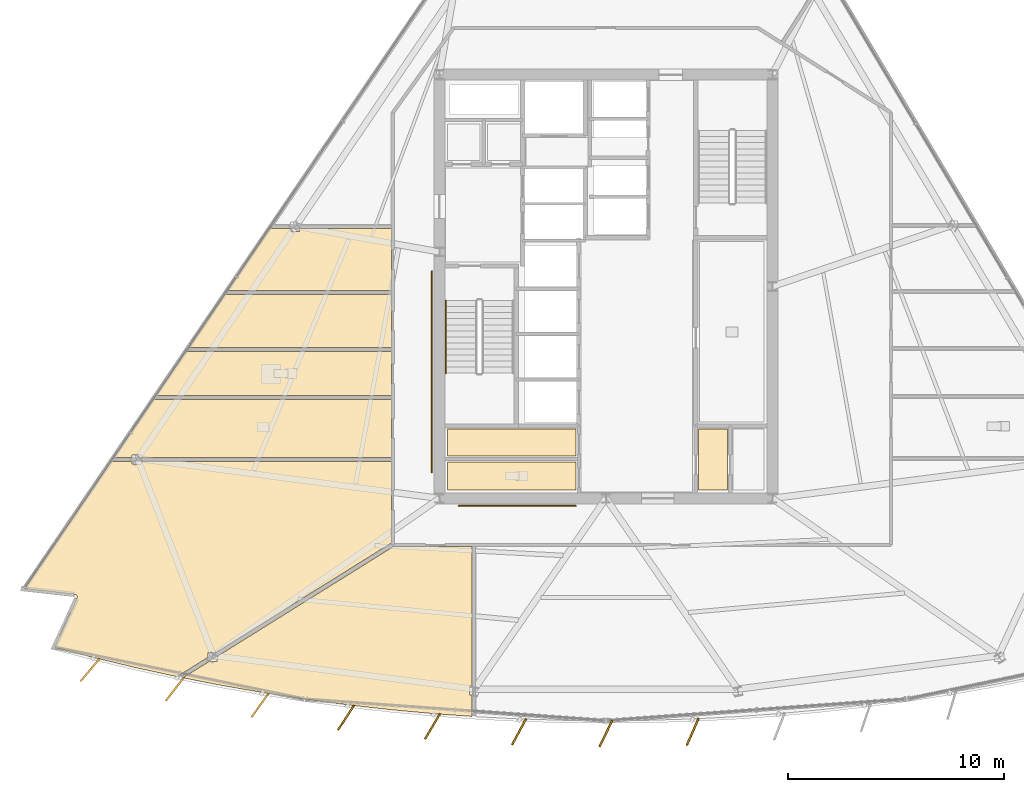
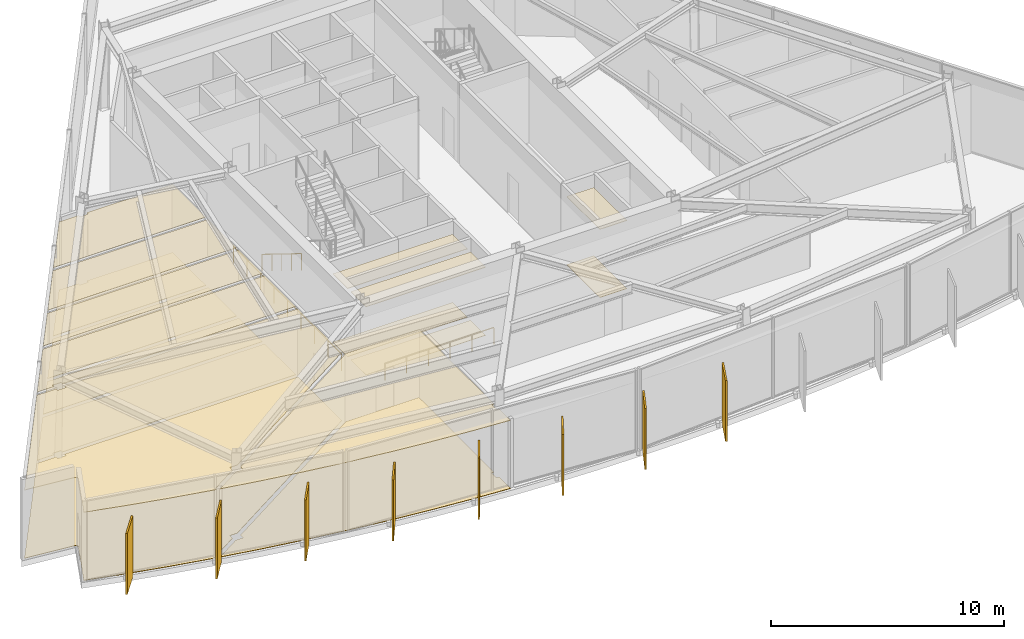
# One storey, part 10 of 14: 18 coverings, 8 shading devices, 3 railings.
"""IFC4 building model written with IfcOpenShell, lengths in metres."""

from ifc_helpers import new_model, si_unit, direction, frame, origin, origin_2d, place, context, subcontext, project, spatial, polyline, rectangle, circle, outline, extrude, material, layer, layer_set, type_object, element, save


model = new_model("IFC4")

# Units and contexts
model_context = context("Model", 3, precision=1e-05, world=origin(), true_north=direction((0.0, 1.0)))
body_context = subcontext(model_context, "Body", "Model", "MODEL_VIEW")
ifc_project = project(units=[si_unit("LENGTHUNIT", "METRE"), si_unit("AREAUNIT", "SQUARE_METRE"), si_unit("VOLUMEUNIT", "CUBIC_METRE"), si_unit("PLANEANGLEUNIT", "RADIAN"), si_unit("MASSUNIT", "GRAM", prefix="KILO")], contexts=[model_context])

# Site, building, storey
site_placement = place(None, origin())
site = spatial("IfcSite", under=ifc_project, at=site_placement, CompositionType="ELEMENT")
building_placement = place(site_placement, origin())
building = spatial("IfcBuilding", under=site, at=building_placement, Name="Savorim Split Tower", CompositionType="ELEMENT")
storey_placement = place(building_placement, frame((0.0, 0.0, 134.10009765625)))
storey = spatial("IfcBuildingStorey", under=building, at=storey_placement, Name="L35", CompositionType="ELEMENT", Elevation=134.10009765625)

# Coverings
ifc_material_1 = material(Name="Mineral Fibre Acoustic Ceiling")
ifc_layer_1 = layer(ifc_material_1, 0.02490234375)
ifc_layer_set_1 = layer_set([ifc_layer_1], Name="COV-CEIL-25")
covering_type_1 = type_object("IfcCoveringType", Name="COV-CEIL-25", PredefinedType="CEILING", material=ifc_layer_set_1)
covering_1_placement = place(storey_placement, frame((0.0, 0.0, 3.56982421875)))
element("IfcCovering", 1, at=covering_1_placement, inside=storey, type_object=covering_type_1, Name="L35 Cleaning Store Acoustic Ceiling", PredefinedType="CEILING", context=body_context, shape_type="SweptSolid", body=[
    extrude(outline(polyline([(-7.320068359375, -6.179931640625), (-7.320068359375, -7.43994140625), (-1.3798828125, -7.43994140625), (-1.3798828125, -6.179931640625), (-7.320068359375, -6.179931640625)])), origin(), (0.0, 0.0, 1.0), 0.025146484375),
])
covering_2_placement = place(storey_placement, frame((0.0, 0.0, 3.56982421875)))
element("IfcCovering", 2, at=covering_2_placement, inside=storey, type_object=covering_type_1, Name="L35 Public WC Acoustic Ceiling", PredefinedType="CEILING", context=body_context, shape_type="SweptSolid", body=[
    extrude(outline(polyline([(-7.320068359375, -7.719970703125), (-7.320068359375, -9.02001953125), (-1.3798828125, -9.02001953125), (-1.3798828125, -7.719970703125), (-7.320068359375, -7.719970703125)])), origin(), (0.0, 0.0, 1.0), 0.025146484375),
])
covering_3_placement = place(storey_placement, frame((0.0, 0.0, 3.56982421875)))
element("IfcCovering", 3, at=covering_3_placement, inside=storey, type_object=covering_type_1, Name="L35 Vending Pantry Acoustic Ceiling", PredefinedType="CEILING", context=body_context, shape_type="SweptSolid", body=[
    extrude(outline(polyline([(4.280029296875, -6.179931640625), (4.280029296875, -9.02001953125), (5.6201171875, -9.02001953125), (5.6201171875, -6.179931640625), (4.280029296875, -6.179931640625)])), origin(), (0.0, 0.0, 1.0), 0.025146484375),
])
covering_4_placement = place(storey_placement, frame((0.0, 0.0, 3.56982421875)))
element("IfcCovering", 4, at=covering_4_placement, inside=storey, type_object=covering_type_1, Name="L35 Sky Lobby Acoustic Ceiling", PredefinedType="CEILING", context=body_context, shape_type="SweptSolid", body=[
    extrude(outline(polyline([(-17.62841796875, 0.030517578125), (-19.2958984375, -2.4208984375), (-9.919921875, -2.4208984375), (-9.919921875, 0.030517578125), (-17.62841796875, 0.030517578125)])), origin(), (0.0, 0.0, 1.0), 0.025146484375),
])
covering_5_placement = place(storey_placement, frame((0.0, 0.0, 3.56982421875)))
element("IfcCovering", 5, at=covering_5_placement, inside=storey, type_object=covering_type_1, Name="L35 Shared Bathroom Acoustic Ceiling", PredefinedType="CEILING", context=body_context, shape_type="SweptSolid", body=[
    extrude(outline(polyline([(-19.42529296875, -2.61083984375), (-20.806884765625, -4.64208984375), (-9.919921875, -4.64208984375), (-9.919921875, -2.61083984375), (-19.42529296875, -2.61083984375)])), origin(), (0.0, 0.0, 1.0), 0.025146484375),
])
covering_6_placement = place(storey_placement, frame((0.0, 0.0, 3.56982421875)))
element("IfcCovering", 6, at=covering_6_placement, inside=storey, type_object=covering_type_1, Name="L35 Communal Kitchen Acoustic Ceiling", PredefinedType="CEILING", context=body_context, shape_type="SweptSolid", body=[
    extrude(outline(polyline([(-21.491943359375, -7.384765625), (-21.491943359375, -7.503173828125), (-9.919921875, -7.503173828125), (-9.919921875, -4.83203125), (-20.936279296875, -4.83203125), (-22.75341796875, -7.503173828125), (-21.916015625, -7.503173828125), (-21.916015625, -7.384765625), (-21.491943359375, -7.384765625)])), origin(), (0.0, 0.0, 1.0), 0.025146484375),
])
covering_7_placement = place(storey_placement, frame((0.0, 0.0, 3.56982421875)))
element("IfcCovering", 7, at=covering_7_placement, inside=storey, type_object=covering_type_1, Name="L35 Co-Working Commons Acoustic Ceiling", PredefinedType="CEILING", context=body_context, shape_type="SweptSolid", body=[
    extrude(outline(polyline([(-24.447265625, -13.9619140625), (-24.447998046875, -13.973876953125), (-24.4501953125, -13.985595703125), (-24.45361328125, -13.9970703125), (-24.4580078125, -14.00830078125), (-25.5048828125, -16.28662109375), (-23.711181640625, -16.755615234375), (-21.770263671875, -17.220947265625), (-19.8203125, -17.646484375), (-19.727783203125, -17.664794921875), (-19.767333984375, -17.601318359375), (-18.406005859375, -16.75244140625), (-18.406005859375, -16.518798828125), (-18.03125, -16.518798828125), (-9.946533203125, -11.47705078125), (-9.919921875, -11.46044921875), (-9.919921875, -7.693115234375), (-21.491943359375, -7.693115234375), (-21.491943359375, -7.811767578125), (-21.916015625, -7.811767578125), (-21.916015625, -7.693115234375), (-22.757568359375, -7.693115234375), (-22.8525390625, -7.693115234375), (-22.8525390625, -7.64892578125), (-26.88623046875, -13.578369140625), (-24.5537109375, -13.8388671875), (-24.5419921875, -13.8408203125), (-24.530517578125, -13.84375), (-24.519287109375, -13.847900390625), (-24.508544921875, -13.853271484375), (-24.49853515625, -13.859619140625), (-24.489013671875, -13.866943359375), (-24.48046875, -13.875244140625), (-24.47265625, -13.88427734375), (-24.4658203125, -13.893798828125), (-24.459716796875, -13.904296875), (-24.455078125, -13.915283203125), (-24.451416015625, -13.926513671875), (-24.44873046875, -13.938232421875), (-24.447509765625, -13.9501953125), (-24.447265625, -13.9619140625)])), origin(), (0.0, 0.0, 1.0), 0.025146484375),
])
covering_8_placement = place(storey_placement, frame((0.0, 0.0, 3.56982421875)))
element("IfcCovering", 8, at=covering_8_placement, inside=storey, type_object=covering_type_1, Name="L35 Co-Working Commons Acoustic Ceiling", PredefinedType="CEILING", context=body_context, shape_type="SweptSolid", body=[
    extrude(outline(polyline([(-13.923828125, -18.6826171875), (-11.945556640625, -18.947265625), (-9.962158203125, -19.17138671875), (-7.974853515625, -19.35498046875), (-6.192626953125, -19.48291015625), (-6.192626953125, -18.498779296875), (-6.309814453125, -18.498779296875), (-6.309814453125, -18.07177734375), (-6.192626953125, -18.07177734375), (-6.192626953125, -11.6201171875), (-9.780029296875, -11.6201171875), (-9.793701171875, -11.619384765625), (-9.807373046875, -11.6171875), (-9.81103515625, -11.616455078125), (-17.98193359375, -16.7119140625), (-17.98193359375, -16.94580078125), (-18.356689453125, -16.94580078125), (-19.56201171875, -17.697265625), (-17.86181640625, -18.031982421875), (-15.89599609375, -18.37744140625), (-13.923828125, -18.6826171875)])), origin(), (0.0, 0.0, 1.0), 0.025146484375),
])
covering_9_placement = place(storey_placement, frame((0.0, 0.0, 3.56982421875)))
element("IfcCovering", 9, at=covering_9_placement, inside=storey, type_object=covering_type_1, Name="L35 Co-Working Commons Acoustic Ceiling", PredefinedType="CEILING", context=body_context, shape_type="SweptSolid", body=[
    extrude(outline(polyline([(-14.5927734375, 3.07177734375), (-15.434326171875, 3.07177734375), (-15.529296875, 3.07177734375), (-15.529296875, 3.115966796875), (-17.499267578125, 0.220458984375), (-9.919921875, 0.220458984375), (-9.919921875, 3.07177734375), (-14.168701171875, 3.07177734375), (-14.168701171875, 2.953125), (-14.5927734375, 2.953125), (-14.5927734375, 3.07177734375)])), origin(), (0.0, 0.0, 1.0), 0.025146484375),
])
ifc_material_2 = material(Name="Porcelain Stoneware Flooring", Category="masonry")
ifc_layer_2 = layer(ifc_material_2, 0.02001953125)
ifc_layer_set_2 = layer_set([ifc_layer_2], Name="COV-FLOR-20")
covering_type_2 = type_object("IfcCoveringType", Name="COV-FLOR-20", PredefinedType="FLOORING", material=ifc_layer_set_2)
covering_10_placement = place(storey_placement, origin())
element("IfcCovering", 10, at=covering_10_placement, inside=storey, type_object=covering_type_2, Name="L35 Cleaning Store Porcelain Flooring", PredefinedType="FLOORING", context=body_context, shape_type="SweptSolid", body=[
    extrude(outline(polyline([(-7.320068359375, -6.179931640625), (-7.320068359375, -7.43994140625), (-1.3798828125, -7.43994140625), (-1.3798828125, -6.179931640625), (-7.320068359375, -6.179931640625)])), origin(), (0.0, 0.0, 1.0), 0.02001953125),
])
covering_11_placement = place(storey_placement, origin())
element("IfcCovering", 11, at=covering_11_placement, inside=storey, type_object=covering_type_2, Name="L35 Public WC Porcelain Flooring", PredefinedType="FLOORING", context=body_context, shape_type="SweptSolid", body=[
    extrude(outline(polyline([(-7.320068359375, -7.719970703125), (-7.320068359375, -9.02001953125), (-1.3798828125, -9.02001953125), (-1.3798828125, -7.719970703125), (-7.320068359375, -7.719970703125)])), origin(), (0.0, 0.0, 1.0), 0.02001953125),
])
covering_12_placement = place(storey_placement, origin())
element("IfcCovering", 12, at=covering_12_placement, inside=storey, type_object=covering_type_2, Name="L35 Vending Pantry Porcelain Flooring", PredefinedType="FLOORING", context=body_context, shape_type="SweptSolid", body=[
    extrude(outline(polyline([(4.280029296875, -6.179931640625), (4.280029296875, -9.02001953125), (5.6201171875, -9.02001953125), (5.6201171875, -6.179931640625), (4.280029296875, -6.179931640625)])), origin(), (0.0, 0.0, 1.0), 0.02001953125),
])
covering_13_placement = place(storey_placement, origin())
element("IfcCovering", 13, at=covering_13_placement, inside=storey, type_object=covering_type_2, Name="L35 Sky Lobby Porcelain Flooring", PredefinedType="FLOORING", context=body_context, shape_type="SweptSolid", body=[
    extrude(outline(polyline([(-17.62841796875, 0.030517578125), (-19.2958984375, -2.4208984375), (-9.919921875, -2.4208984375), (-9.919921875, 0.030517578125), (-17.62841796875, 0.030517578125)])), origin(), (0.0, 0.0, 1.0), 0.02001953125),
])
covering_14_placement = place(storey_placement, origin())
element("IfcCovering", 14, at=covering_14_placement, inside=storey, type_object=covering_type_2, Name="L35 Shared Bathroom Porcelain Flooring", PredefinedType="FLOORING", context=body_context, shape_type="SweptSolid", body=[
    extrude(outline(polyline([(-19.42529296875, -2.61083984375), (-20.806884765625, -4.64208984375), (-9.919921875, -4.64208984375), (-9.919921875, -2.61083984375), (-19.42529296875, -2.61083984375)])), origin(), (0.0, 0.0, 1.0), 0.02001953125),
])
covering_15_placement = place(storey_placement, origin())
element("IfcCovering", 15, at=covering_15_placement, inside=storey, type_object=covering_type_2, Name="L35 Communal Kitchen Porcelain Flooring", PredefinedType="FLOORING", context=body_context, shape_type="SweptSolid", body=[
    extrude(outline(polyline([(-21.491943359375, -7.384765625), (-21.491943359375, -7.503173828125), (-9.919921875, -7.503173828125), (-9.919921875, -4.83203125), (-20.936279296875, -4.83203125), (-22.75341796875, -7.503173828125), (-21.916015625, -7.503173828125), (-21.916015625, -7.384765625), (-21.491943359375, -7.384765625)])), origin(), (0.0, 0.0, 1.0), 0.02001953125),
])
covering_16_placement = place(storey_placement, origin())
element("IfcCovering", 16, at=covering_16_placement, inside=storey, type_object=covering_type_2, Name="L35 Co-Working Commons Porcelain Flooring", PredefinedType="FLOORING", context=body_context, shape_type="SweptSolid", body=[
    extrude(outline(polyline([(-24.447265625, -13.9619140625), (-24.447998046875, -13.973876953125), (-24.4501953125, -13.985595703125), (-24.45361328125, -13.9970703125), (-24.4580078125, -14.00830078125), (-25.5048828125, -16.28662109375), (-23.711181640625, -16.755615234375), (-21.770263671875, -17.220947265625), (-19.8203125, -17.646484375), (-19.727783203125, -17.664794921875), (-19.767333984375, -17.601318359375), (-18.406005859375, -16.75244140625), (-18.406005859375, -16.518798828125), (-18.03125, -16.518798828125), (-9.946533203125, -11.47705078125), (-9.919921875, -11.46044921875), (-9.919921875, -7.693115234375), (-21.491943359375, -7.693115234375), (-21.491943359375, -7.811767578125), (-21.916015625, -7.811767578125), (-21.916015625, -7.693115234375), (-22.757568359375, -7.693115234375), (-22.8525390625, -7.693115234375), (-22.8525390625, -7.64892578125), (-26.88623046875, -13.578369140625), (-24.5537109375, -13.8388671875), (-24.5419921875, -13.8408203125), (-24.530517578125, -13.84375), (-24.519287109375, -13.847900390625), (-24.508544921875, -13.853271484375), (-24.49853515625, -13.859619140625), (-24.489013671875, -13.866943359375), (-24.48046875, -13.875244140625), (-24.47265625, -13.88427734375), (-24.4658203125, -13.893798828125), (-24.459716796875, -13.904296875), (-24.455078125, -13.915283203125), (-24.451416015625, -13.926513671875), (-24.44873046875, -13.938232421875), (-24.447509765625, -13.9501953125), (-24.447265625, -13.9619140625)])), origin(), (0.0, 0.0, 1.0), 0.02001953125),
])
covering_17_placement = place(storey_placement, origin())
element("IfcCovering", 17, at=covering_17_placement, inside=storey, type_object=covering_type_2, Name="L35 Co-Working Commons Porcelain Flooring", PredefinedType="FLOORING", context=body_context, shape_type="SweptSolid", body=[
    extrude(outline(polyline([(-13.923828125, -18.6826171875), (-11.945556640625, -18.947265625), (-9.962158203125, -19.17138671875), (-7.974853515625, -19.35498046875), (-6.192626953125, -19.48291015625), (-6.192626953125, -18.498779296875), (-6.309814453125, -18.498779296875), (-6.309814453125, -18.07177734375), (-6.192626953125, -18.07177734375), (-6.192626953125, -11.6201171875), (-9.780029296875, -11.6201171875), (-9.793701171875, -11.619384765625), (-9.807373046875, -11.6171875), (-9.81103515625, -11.616455078125), (-17.98193359375, -16.7119140625), (-17.98193359375, -16.94580078125), (-18.356689453125, -16.94580078125), (-19.56201171875, -17.697265625), (-17.86181640625, -18.031982421875), (-15.89599609375, -18.37744140625), (-13.923828125, -18.6826171875)])), origin(), (0.0, 0.0, 1.0), 0.02001953125),
])
covering_18_placement = place(storey_placement, origin())
element("IfcCovering", 18, at=covering_18_placement, inside=storey, type_object=covering_type_2, Name="L35 Co-Working Commons Porcelain Flooring", PredefinedType="FLOORING", context=body_context, shape_type="SweptSolid", body=[
    extrude(outline(polyline([(-14.5927734375, 3.07177734375), (-15.434326171875, 3.07177734375), (-15.529296875, 3.07177734375), (-15.529296875, 3.115966796875), (-17.499267578125, 0.220458984375), (-9.919921875, 0.220458984375), (-9.919921875, 3.07177734375), (-14.168701171875, 3.07177734375), (-14.168701171875, 2.953125), (-14.5927734375, 2.953125), (-14.5927734375, 3.07177734375)])), origin(), (0.0, 0.0, 1.0), 0.02001953125),
])

# Railings
ifc_material_3 = material(Name="Galvanised Painted Steel Balustrade", Category="steel")
railing_type = type_object("IfcRailingType", Name="RLG-HR-900", PredefinedType="HANDRAIL", material=ifc_material_3)
railing_1_placement = place(storey_placement, frame((-7.39990234375, -0.25, 0.173095703125)))
element("IfcRailing", 19, at=railing_1_placement, inside=storey, type_object=railing_type, Name="L35 ST-1 stair handrail 1", PredefinedType="HANDRAIL", context=body_context, shape_type="SweptSolid", body=[
    extrude(circle(Radius=0.02392578125, at=origin_2d()), frame((0.0, 0.0, 0.8759765625), z_axis=(0.0, -0.850623216509, 0.525775754039), x_axis=(1.0, 0.0, 0.0)), (0.0, 0.0, 1.0), 3.9501953125),
    extrude(circle(Radius=0.02099609375, at=origin_2d()), origin(), (0.0, 0.0, 1.0), 0.851806640625),
    extrude(circle(Radius=0.02099609375, at=origin_2d()), frame((0.0, -0.840087890625, 0.519287109375)), (0.0, 0.0, 1.0), 0.851806640625),
    extrude(circle(Radius=0.02099609375, at=origin_2d()), frame((0.0, -1.68017578125, 1.03857421875)), (0.0, 0.0, 1.0), 0.851806640625),
    extrude(circle(Radius=0.02099609375, at=origin_2d()), frame((0.0, -2.52001953125, 1.5576171875)), (0.0, 0.0, 1.0), 0.851806640625),
    extrude(circle(Radius=0.02099609375, at=origin_2d()), frame((0.0, -3.360107421875, 2.076904296875)), (0.0, 0.0, 1.0), 0.851806640625),
])
railing_2_placement = place(storey_placement, frame((-6.800048828125, -9.75, 0.0)))
element("IfcRailing", 20, at=railing_2_placement, inside=storey, type_object=railing_type, Name="L35 Corridor South Accessible Handrail", PredefinedType="HANDRAIL", context=body_context, shape_type="SweptSolid", body=[
    extrude(circle(Radius=0.02392578125, at=origin_2d()), frame((0.0, 0.0, 0.8759765625), z_axis=(1.0, 0.0, 0.0), x_axis=(0.0, 1.0, 0.0)), (0.0, 0.0, 1.0), 5.400146484375),
    extrude(circle(Radius=0.02099609375, at=origin_2d()), origin(), (0.0, 0.0, 1.0), 0.851806640625),
    extrude(circle(Radius=0.02099609375, at=origin_2d()), frame((1.080078125, 0.0, 0.0)), (0.0, 0.0, 1.0), 0.851806640625),
    extrude(circle(Radius=0.02099609375, at=origin_2d()), frame((2.16015625, 0.0, 0.0)), (0.0, 0.0, 1.0), 0.851806640625),
    extrude(circle(Radius=0.02099609375, at=origin_2d()), frame((3.239990234375, 0.0, 0.0)), (0.0, 0.0, 1.0), 0.851806640625),
    extrude(circle(Radius=0.02099609375, at=origin_2d()), frame((4.320068359375, 0.0, 0.0)), (0.0, 0.0, 1.0), 0.851806640625),
    extrude(circle(Radius=0.02099609375, at=origin_2d()), frame((5.400146484375, 0.0, 0.0)), (0.0, 0.0, 1.0), 0.851806640625),
])
railing_3_placement = place(storey_placement, frame((-8.050048828125, -8.199951171875, 0.0)))
element("IfcRailing", 21, at=railing_3_placement, inside=storey, type_object=railing_type, Name="L35 Corridor West Accessible Handrail", PredefinedType="HANDRAIL", context=body_context, shape_type="SweptSolid", body=[
    extrude(circle(Radius=0.02392578125, at=origin_2d()), frame((0.0, 0.0, 0.8759765625), z_axis=(0.0, 1.0, 0.0), x_axis=(-1.0, 0.0, 0.0)), (0.0, 0.0, 1.0), 9.300048828125),
    extrude(circle(Radius=0.02099609375, at=origin_2d()), origin(), (0.0, 0.0, 1.0), 0.851806640625),
    extrude(circle(Radius=0.02099609375, at=origin_2d()), frame((0.0, 1.16259765625, 0.0)), (0.0, 0.0, 1.0), 0.851806640625),
    extrude(circle(Radius=0.02099609375, at=origin_2d()), frame((0.0, 2.324951171875, 0.0)), (0.0, 0.0, 1.0), 0.851806640625),
    extrude(circle(Radius=0.02099609375, at=origin_2d()), frame((0.0, 3.487548828125, 0.0)), (0.0, 0.0, 1.0), 0.851806640625),
    extrude(circle(Radius=0.02099609375, at=origin_2d()), frame((0.0, 4.64990234375, 0.0)), (0.0, 0.0, 1.0), 0.851806640625),
    extrude(circle(Radius=0.02099609375, at=origin_2d()), frame((0.0, 5.8125, 0.0)), (0.0, 0.0, 1.0), 0.851806640625),
    extrude(circle(Radius=0.02099609375, at=origin_2d()), frame((0.0, 6.97509765625, 0.0)), (0.0, 0.0, 1.0), 0.851806640625),
    extrude(circle(Radius=0.02099609375, at=origin_2d()), frame((0.0, 8.137451171875, 0.0)), (0.0, 0.0, 1.0), 0.851806640625),
    extrude(circle(Radius=0.02099609375, at=origin_2d()), frame((0.0, 9.300048828125, 0.0)), (0.0, 0.0, 1.0), 0.851806640625),
])

# Shading devices
ifc_material_4 = material(Name="Terracotta Ceramic-Coated Aluminium Fin", Category="masonry")
shading_device_type = type_object("IfcShadingDeviceType", Name="SHD-FIN-1360", PredefinedType="USERDEFINED", material=ifc_material_4)
for number, where, z_axis, x_axis, name in (
    (22, (-23.85595703125, -17.333740234375, -0.2001953125), (0.0, 0.0, 1.0), (-0.643719022682, -0.765261928909, 0.0), "L35 Sawtooth Shading Fin 01"),
    (23, (-19.94140625, -18.22998046875, -0.2001953125), (0.0, 0.0, 1.0), (-0.611868076908, -0.790959832394, 0.0), "L35 Sawtooth Shading Fin 02"),
    (24, (-15.993408203125, -18.965576171875, -0.2001953125), (0.0, 0.0, 1.0), (-0.578993757737, -0.815331974414, 0.0), "L35 Sawtooth Shading Fin 03"),
    (25, (-12.0185546875, -19.538818359375, -0.2001953125), (0.0, 0.0, 1.0), (-0.545148321708, -0.838339613366, 0.0), "L35 Sawtooth Shading Fin 04"),
    (26, (-8.0234375, -19.948974609375, -0.2001953125), (0.0, 0.0, 1.0), (-0.510391336723, -0.859942255851, 0.0), "L35 Sawtooth Shading Fin 05"),
    (27, (-4.01513671875, -20.1953125, -0.2001953125), (0.0, 0.0, 1.0), (-0.474778051978, -0.880105562623, 0.0), "L35 Sawtooth Shading Fin 06"),
    (28, (0.0, -20.277587890625, -0.2001953125), (0.0, 0.0, 1.0), (-0.438371146789, -0.898794046299, 0.0), "L35 Sawtooth Shading Fin 07"),
    (29, (4.01513671875, -20.1953125, -0.2001953125), (0.0, 0.0, 1.0), (-0.401230091723, -0.915977299662, 0.0), "L35 Sawtooth Shading Fin 08"),
):
    element("IfcShadingDevice", number, at=place(storey_placement, frame(where, z_axis=z_axis, x_axis=x_axis)), inside=storey, type_object=shading_device_type, Name=name, ObjectType="FIN", PredefinedType="USERDEFINED", context=body_context, shape_type="SweptSolid", body=[
        extrude(rectangle(XDim=1.360107421875, YDim=0.080078125, at=origin_2d()), origin(), (0.0, 0.0, 1.0), 3.199951171875),
    ])

save(model, "model.ifc")
